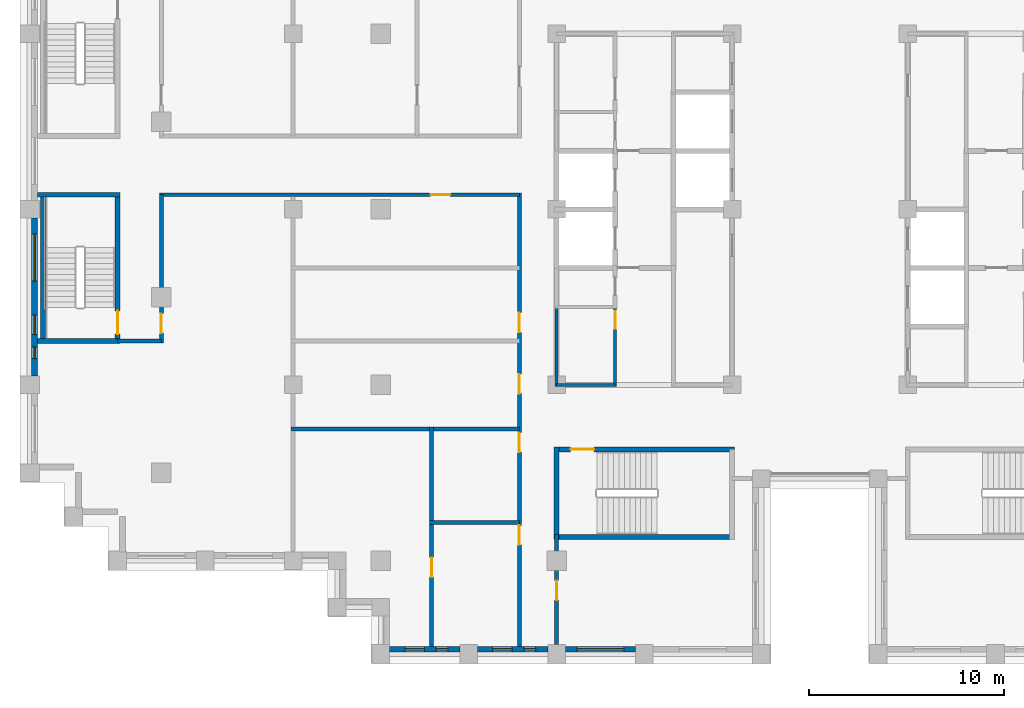
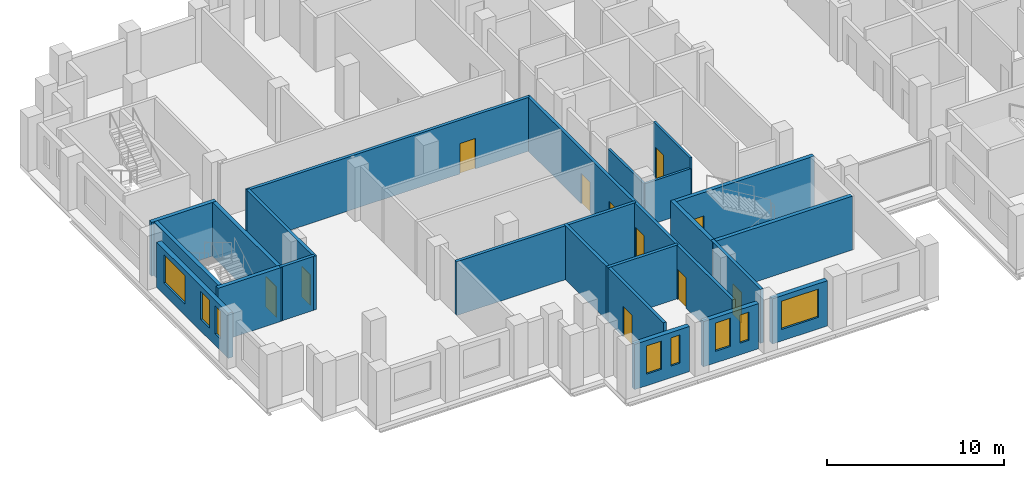
# One storey, part 6 of 15: 22 walls, 11 doors, 8 windows, 19 openings.
"""IFC4 building model written with IfcOpenShell, lengths in metres."""

from ifc_helpers import new_model, si_unit, direction, frame, frame_2d, origin, place, context, subcontext, project, spatial, rectangle, extrude, material, layer, layer_set, type_object, element, fill, save


model = new_model("IFC4")

# Units and contexts
model_context = context("Model", 3, precision=1e-05, world=origin(), true_north=direction((0.0, 1.0)))
body_context = subcontext(model_context, "Body", "Model", "MODEL_VIEW")
ifc_project = project(units=[si_unit("LENGTHUNIT", "METRE"), si_unit("AREAUNIT", "SQUARE_METRE"), si_unit("VOLUMEUNIT", "CUBIC_METRE"), si_unit("PLANEANGLEUNIT", "RADIAN"), si_unit("MASSUNIT", "GRAM", prefix="KILO")], contexts=[model_context])

# Site, building, storey
site_placement = place(None, origin())
site = spatial("IfcSite", under=ifc_project, at=site_placement, CompositionType="ELEMENT")
building_placement = place(site_placement, origin())
building = spatial("IfcBuilding", under=site, at=building_placement, Name="Corbelhall Arena Tower", CompositionType="ELEMENT")
storey_placement = place(building_placement, frame((0.0, 0.0, 212.0)))
storey = spatial("IfcBuildingStorey", under=building, at=storey_placement, Name="L44", CompositionType="ELEMENT", Elevation=212.0)

# Wall, openings, windows
ifc_material_1 = material(Name="Precast concrete C40/50 with granite facing", Category="masonry")
ifc_layer_1 = layer(ifc_material_1, 0.300048828125)
ifc_layer_set_1 = layer_set([ifc_layer_1], Name="EV-IW1 Infill panel 300")
wall_type_1 = type_object("IfcWallType", Name="EV-IW1 Infill panel 300", PredefinedType="SOLIDWALL", material=ifc_layer_set_1)
wall_1_placement = place(storey_placement, frame((-40.25, -0.449951171875, 0.0), z_axis=(0.0, 0.0, 1.0), x_axis=(0.0, -1.0, 0.0)))
wall_1 = element("IfcWall", 1, at=wall_1_placement, inside=storey, type_object=wall_type_1, Name="Infill panel IW1", PredefinedType="SOLIDWALL", context=body_context, shape_type="SweptSolid", body=[
    extrude(rectangle(XDim=8.10009765625, YDim=0.300048828125, at=frame_2d((4.050048828125, 0.0))), origin(), (0.0, 0.0, 1.0), 3.1201171875),
])
opening_1_placement = place(wall_1_placement, frame((0.824951171875, 0.0, 0.800048828125)))
opening_1 = element("IfcOpeningElement", 2, at=opening_1_placement, cuts=wall_1, Name="Opening WN1", PredefinedType="OPENING", context=body_context, shape_type="SweptSolid", body=[
    extrude(rectangle(XDim=2.39990234375, YDim=1.949951171875, at=frame_2d((1.199951171875, 0.97509765625))), frame((0.0, 0.14990234375, 0.0), z_axis=(0.0, -1.0, 0.0), x_axis=(1.0, 0.0, 0.0)), (0.0, 0.0, 1.0), 0.300048828125),
])
opening_2_placement = place(wall_1_placement, frame((4.97509765625, 0.0, 0.800048828125)))
opening_2 = element("IfcOpeningElement", 3, at=opening_2_placement, cuts=wall_1, Name="Opening WN6", PredefinedType="OPENING", context=body_context, shape_type="SweptSolid", body=[
    extrude(rectangle(XDim=1.0, YDim=1.949951171875, at=frame_2d((0.5, 0.97509765625))), frame((0.0, 0.14990234375, 0.0), z_axis=(0.0, -1.0, 0.0), x_axis=(1.0, 0.0, 0.0)), (0.0, 0.0, 1.0), 0.300048828125),
])
opening_3_placement = place(wall_1_placement, frame((6.60009765625, 0.0, 0.800048828125)))
opening_3 = element("IfcOpeningElement", 4, at=opening_3_placement, cuts=wall_1, Name="Opening WN5", PredefinedType="OPENING", context=body_context, shape_type="SweptSolid", body=[
    extrude(rectangle(XDim=0.60009765625, YDim=1.949951171875, at=frame_2d((0.300048828125, 0.97509765625))), frame((0.0, 0.14990234375, 0.0), z_axis=(0.0, -1.0, 0.0), x_axis=(1.0, 0.0, 0.0)), (0.0, 0.0, 1.0), 0.300048828125),
])
ifc_material_2 = material(Name="Aluminium black anodised", Category="aluminium")
window_type_1 = type_object("IfcWindowType", Name="EV-WN1 Office window", PartitioningType="SINGLE_PANEL", PredefinedType="WINDOW", material=ifc_material_2)
window_1_placement = place(opening_1_placement, origin())
window_1 = element("IfcWindow", 5, at=window_1_placement, inside=storey, type_object=window_type_1, Name="Window WN1", OverallHeight=1.949951171875, OverallWidth=2.39990234375, PartitioningType="SINGLE_PANEL", PredefinedType="WINDOW", context=body_context, shape_type="SweptSolid", body=[
    extrude(rectangle(XDim=2.39990234375, YDim=1.949951171875, at=frame_2d((1.199951171875, 0.97509765625))), frame((0.0, 0.030029296875, 0.0), z_axis=(0.0, -1.0, 0.0), x_axis=(1.0, 0.0, 0.0)), (0.0, 0.0, 1.0), 0.06005859375),
])
fill(opening_1, window_1)
window_type_2 = type_object("IfcWindowType", Name="EV-WN5 Office window 600", PartitioningType="SINGLE_PANEL", PredefinedType="WINDOW", material=ifc_material_2)
window_2_placement = place(opening_3_placement, origin())
window_2 = element("IfcWindow", 6, at=window_2_placement, inside=storey, type_object=window_type_2, Name="Window WN5", OverallHeight=1.949951171875, OverallWidth=0.60009765625, PartitioningType="SINGLE_PANEL", PredefinedType="WINDOW", context=body_context, shape_type="SweptSolid", body=[
    extrude(rectangle(XDim=0.60009765625, YDim=1.949951171875, at=frame_2d((0.300048828125, 0.97509765625))), frame((0.0, 0.030029296875, 0.0), z_axis=(0.0, -1.0, 0.0), x_axis=(1.0, 0.0, 0.0)), (0.0, 0.0, 1.0), 0.06005859375),
])
fill(opening_3, window_2)
window_type_3 = type_object("IfcWindowType", Name="EV-WN6 Office window 1000", PartitioningType="SINGLE_PANEL", PredefinedType="WINDOW", material=ifc_material_2)
window_3_placement = place(opening_2_placement, origin())
window_3 = element("IfcWindow", 7, at=window_3_placement, inside=storey, type_object=window_type_3, Name="Window WN6", OverallHeight=1.949951171875, OverallWidth=1.0, PartitioningType="SINGLE_PANEL", PredefinedType="WINDOW", context=body_context, shape_type="SweptSolid", body=[
    extrude(rectangle(XDim=1.0, YDim=1.949951171875, at=frame_2d((0.5, 0.97509765625))), frame((0.0, 0.030029296875, 0.0), z_axis=(0.0, -1.0, 0.0), x_axis=(1.0, 0.0, 0.0)), (0.0, 0.0, 1.0), 0.06005859375),
])
fill(opening_2, window_3)

wall_2_placement = place(storey_placement, frame((-22.050048828125, -22.550048828125, 0.0), z_axis=(0.0, 0.0, 1.0), x_axis=(1.0, 0.0, 0.0)))
wall_2 = element("IfcWall", 8, at=wall_2_placement, inside=storey, type_object=wall_type_1, Name="Infill panel IW1", PredefinedType="SOLIDWALL", context=body_context, shape_type="SweptSolid", body=[
    extrude(rectangle(XDim=3.60009765625, YDim=0.300048828125, at=frame_2d((1.800048828125, 0.0))), origin(), (0.0, 0.0, 1.0), 3.1201171875),
])
opening_4_placement = place(wall_2_placement, frame((0.77490234375, 0.0, 0.800048828125)))
opening_4 = element("IfcOpeningElement", 9, at=opening_4_placement, cuts=wall_2, Name="Opening WN6", PredefinedType="OPENING", context=body_context, shape_type="SweptSolid", body=[
    extrude(rectangle(XDim=1.0, YDim=1.949951171875, at=frame_2d((0.5, 0.97509765625))), frame((0.0, 0.14990234375, 0.0), z_axis=(0.0, -1.0, 0.0), x_axis=(1.0, 0.0, 0.0)), (0.0, 0.0, 1.0), 0.300048828125),
])
opening_5_placement = place(wall_2_placement, frame((2.375, 0.0, 0.800048828125)))
opening_5 = element("IfcOpeningElement", 10, at=opening_5_placement, cuts=wall_2, Name="Opening WN5", PredefinedType="OPENING", context=body_context, shape_type="SweptSolid", body=[
    extrude(rectangle(XDim=0.60009765625, YDim=1.949951171875, at=frame_2d((0.300048828125, 0.97509765625))), frame((0.0, 0.14990234375, 0.0), z_axis=(0.0, -1.0, 0.0), x_axis=(1.0, 0.0, 0.0)), (0.0, 0.0, 1.0), 0.300048828125),
])
window_4_placement = place(opening_5_placement, origin())
window_4 = element("IfcWindow", 11, at=window_4_placement, inside=storey, type_object=window_type_2, Name="Window WN5", OverallHeight=1.949951171875, OverallWidth=0.60009765625, PartitioningType="SINGLE_PANEL", PredefinedType="WINDOW", context=body_context, shape_type="SweptSolid", body=[
    extrude(rectangle(XDim=0.60009765625, YDim=1.949951171875, at=frame_2d((0.300048828125, 0.97509765625))), frame((0.0, 0.030029296875, 0.0), z_axis=(0.0, -1.0, 0.0), x_axis=(1.0, 0.0, 0.0)), (0.0, 0.0, 1.0), 0.06005859375),
])
fill(opening_5, window_4)
window_5_placement = place(opening_4_placement, origin())
window_5 = element("IfcWindow", 12, at=window_5_placement, inside=storey, type_object=window_type_3, Name="Window WN6", OverallHeight=1.949951171875, OverallWidth=1.0, PartitioningType="SINGLE_PANEL", PredefinedType="WINDOW", context=body_context, shape_type="SweptSolid", body=[
    extrude(rectangle(XDim=1.0, YDim=1.949951171875, at=frame_2d((0.5, 0.97509765625))), frame((0.0, 0.030029296875, 0.0), z_axis=(0.0, -1.0, 0.0), x_axis=(1.0, 0.0, 0.0)), (0.0, 0.0, 1.0), 0.06005859375),
])
fill(opening_4, window_5)

wall_3_placement = place(storey_placement, frame((-17.550048828125, -22.550048828125, 0.0), z_axis=(0.0, 0.0, 1.0), x_axis=(1.0, 0.0, 0.0)))
wall_3 = element("IfcWall", 13, at=wall_3_placement, inside=storey, type_object=wall_type_1, Name="Infill panel IW1", PredefinedType="SOLIDWALL", context=body_context, shape_type="SweptSolid", body=[
    extrude(rectangle(XDim=3.60009765625, YDim=0.300048828125, at=frame_2d((1.800048828125, 0.0))), origin(), (0.0, 0.0, 1.0), 3.1201171875),
])
opening_6_placement = place(wall_3_placement, frame((0.77490234375, 0.0, 0.800048828125)))
opening_6 = element("IfcOpeningElement", 14, at=opening_6_placement, cuts=wall_3, Name="Opening WN6", PredefinedType="OPENING", context=body_context, shape_type="SweptSolid", body=[
    extrude(rectangle(XDim=1.0, YDim=1.949951171875, at=frame_2d((0.5, 0.97509765625))), frame((0.0, 0.14990234375, 0.0), z_axis=(0.0, -1.0, 0.0), x_axis=(1.0, 0.0, 0.0)), (0.0, 0.0, 1.0), 0.300048828125),
])
opening_7_placement = place(wall_3_placement, frame((2.375, 0.0, 0.800048828125)))
opening_7 = element("IfcOpeningElement", 15, at=opening_7_placement, cuts=wall_3, Name="Opening WN5", PredefinedType="OPENING", context=body_context, shape_type="SweptSolid", body=[
    extrude(rectangle(XDim=0.60009765625, YDim=1.949951171875, at=frame_2d((0.300048828125, 0.97509765625))), frame((0.0, 0.14990234375, 0.0), z_axis=(0.0, -1.0, 0.0), x_axis=(1.0, 0.0, 0.0)), (0.0, 0.0, 1.0), 0.300048828125),
])
window_6_placement = place(opening_7_placement, origin())
window_6 = element("IfcWindow", 16, at=window_6_placement, inside=storey, type_object=window_type_2, Name="Window WN5", OverallHeight=1.949951171875, OverallWidth=0.60009765625, PartitioningType="SINGLE_PANEL", PredefinedType="WINDOW", context=body_context, shape_type="SweptSolid", body=[
    extrude(rectangle(XDim=0.60009765625, YDim=1.949951171875, at=frame_2d((0.300048828125, 0.97509765625))), frame((0.0, 0.030029296875, 0.0), z_axis=(0.0, -1.0, 0.0), x_axis=(1.0, 0.0, 0.0)), (0.0, 0.0, 1.0), 0.06005859375),
])
fill(opening_7, window_6)
window_7_placement = place(opening_6_placement, origin())
window_7 = element("IfcWindow", 17, at=window_7_placement, inside=storey, type_object=window_type_3, Name="Window WN6", OverallHeight=1.949951171875, OverallWidth=1.0, PartitioningType="SINGLE_PANEL", PredefinedType="WINDOW", context=body_context, shape_type="SweptSolid", body=[
    extrude(rectangle(XDim=1.0, YDim=1.949951171875, at=frame_2d((0.5, 0.97509765625))), frame((0.0, 0.030029296875, 0.0), z_axis=(0.0, -1.0, 0.0), x_axis=(1.0, 0.0, 0.0)), (0.0, 0.0, 1.0), 0.06005859375),
])
fill(opening_6, window_7)

# Wall, opening, window
wall_4_placement = place(storey_placement, frame((-13.050048828125, -22.550048828125, 0.0), z_axis=(0.0, 0.0, 1.0), x_axis=(1.0, 0.0, 0.0)))
wall_4 = element("IfcWall", 18, at=wall_4_placement, inside=storey, type_object=wall_type_1, Name="Infill panel IW1", PredefinedType="SOLIDWALL", context=body_context, shape_type="SweptSolid", body=[
    extrude(rectangle(XDim=3.60009765625, YDim=0.300048828125, at=frame_2d((1.800048828125, 0.0))), origin(), (0.0, 0.0, 1.0), 3.1201171875),
])
opening_8_placement = place(wall_4_placement, frame((0.60009765625, 0.0, 0.800048828125)))
opening_8 = element("IfcOpeningElement", 19, at=opening_8_placement, cuts=wall_4, Name="Opening WN1", PredefinedType="OPENING", context=body_context, shape_type="SweptSolid", body=[
    extrude(rectangle(XDim=2.39990234375, YDim=1.949951171875, at=frame_2d((1.199951171875, 0.97509765625))), frame((0.0, 0.14990234375, 0.0), z_axis=(0.0, -1.0, 0.0), x_axis=(1.0, 0.0, 0.0)), (0.0, 0.0, 1.0), 0.300048828125),
])
window_8_placement = place(opening_8_placement, origin())
window_8 = element("IfcWindow", 20, at=window_8_placement, inside=storey, type_object=window_type_1, Name="Window WN1", OverallHeight=1.949951171875, OverallWidth=2.39990234375, PartitioningType="SINGLE_PANEL", PredefinedType="WINDOW", context=body_context, shape_type="SweptSolid", body=[
    extrude(rectangle(XDim=2.39990234375, YDim=1.949951171875, at=frame_2d((1.199951171875, 0.97509765625))), frame((0.0, 0.030029296875, 0.0), z_axis=(0.0, -1.0, 0.0), x_axis=(1.0, 0.0, 0.0)), (0.0, 0.0, 1.0), 0.06005859375),
])
fill(opening_8, window_8)

# Wall
ifc_material_3 = material(Name="Gypsum board on steel stud, acoustic", Category="steel")
ifc_layer_2 = layer(ifc_material_3, 0.199951171875)
ifc_layer_set_2 = layer_set([ifc_layer_2], Name="IN-W-DM200")
wall_type_2 = type_object("IfcWallType", Name="IN-W-DM200", PredefinedType="PARTITIONING", material=ifc_layer_set_2)
wall_5_placement = place(storey_placement, frame((-33.75, -6.75, 0.0), z_axis=(0.0, 0.0, 1.0), x_axis=(-1.0, 0.0, 0.0)))
element("IfcWall", 21, at=wall_5_placement, inside=storey, type_object=wall_type_2, Name="Partition 003", PredefinedType="PARTITIONING", context=body_context, shape_type="SweptSolid", body=[
    extrude(rectangle(XDim=2.25, YDim=0.199951171875, at=frame_2d((1.125, 0.0))), origin(), (0.0, 0.0, 1.0), 3.719970703125),
])

# Wall, opening, door
wall_6_placement = place(storey_placement, frame((-33.75, 0.75, 0.0), z_axis=(0.0, 0.0, 1.0), x_axis=(0.0, -1.0, 0.0)))
wall_6 = element("IfcWall", 22, at=wall_6_placement, inside=storey, type_object=wall_type_2, Name="Partition 004", PredefinedType="PARTITIONING", context=body_context, shape_type="SweptSolid", body=[
    extrude(rectangle(XDim=7.60009765625, YDim=0.199951171875, at=frame_2d((3.800048828125, 0.0))), origin(), (0.0, 0.0, 1.0), 3.719970703125),
])
opening_9_placement = place(wall_6_placement, frame((6.10009765625, 0.0, 0.0)))
opening_9 = element("IfcOpeningElement", 23, at=opening_9_placement, cuts=wall_6, Name="Opening 13041", PredefinedType="OPENING", context=body_context, shape_type="SweptSolid", body=[
    extrude(rectangle(XDim=1.0, YDim=2.10009765625, at=frame_2d((0.5, 1.050048828125))), frame((0.0, 0.10009765625, 0.0), z_axis=(0.0, -1.0, 0.0), x_axis=(1.0, 0.0, 0.0)), (0.0, 0.0, 1.0), 0.199951171875),
])
ifc_material_4 = material(Name="Steel door set", Category="steel")
door_type_1 = type_object("IfcDoorType", Name="IN-D-SW100", OperationType="NOTDEFINED", PredefinedType="DOOR", material=ifc_material_4)
door_1_placement = place(opening_9_placement, origin())
door_1 = element("IfcDoor", 24, at=door_1_placement, inside=storey, type_object=door_type_1, Name="Door 041", OperationType="SINGLE_SWING_RIGHT", OverallHeight=2.10009765625, OverallWidth=1.0, PredefinedType="DOOR", context=body_context, shape_type="SweptSolid", body=[
    extrude(rectangle(XDim=1.0, YDim=2.10009765625, at=frame_2d((0.5, 1.050048828125))), frame((0.0, 0.02490234375, 0.0), z_axis=(0.0, -1.0, 0.0), x_axis=(1.0, 0.0, 0.0)), (0.0, 0.0, 1.0), 0.050048828125),
])
fill(opening_9, door_1)

# Wall
wall_7_placement = place(storey_placement, frame((-27.10009765625, -11.25, 0.0), z_axis=(0.0, 0.0, 1.0), x_axis=(1.0, 0.0, 0.0)))
element("IfcWall", 25, at=wall_7_placement, inside=storey, type_object=wall_type_2, Name="Partition 006", PredefinedType="PARTITIONING", context=body_context, shape_type="SweptSolid", body=[
    extrude(rectangle(XDim=11.7001953125, YDim=0.199951171875, at=frame_2d((5.85009765625, 0.0))), origin(), (0.0, 0.0, 1.0), 3.719970703125),
])

# Wall, opening, door
wall_8_placement = place(storey_placement, frame((-15.39990234375, 0.75, 0.0), z_axis=(0.0, 0.0, 1.0), x_axis=(-1.0, 0.0, 0.0)))
wall_8 = element("IfcWall", 26, at=wall_8_placement, inside=storey, type_object=wall_type_2, Name="Partition 011", PredefinedType="PARTITIONING", context=body_context, shape_type="SweptSolid", body=[
    extrude(rectangle(XDim=18.4501953125, YDim=0.199951171875, at=frame_2d((9.22509765625, 0.0))), origin(), (0.0, 0.0, 1.0), 3.719970703125),
])
opening_10_placement = place(wall_8_placement, frame((3.550048828125, 0.0, 0.0)))
opening_10 = element("IfcOpeningElement", 27, at=opening_10_placement, cuts=wall_8, Name="Opening 13031", PredefinedType="OPENING", context=body_context, shape_type="SweptSolid", body=[
    extrude(rectangle(XDim=1.0, YDim=2.10009765625, at=frame_2d((0.5, 1.050048828125))), frame((0.0, 0.10009765625, 0.0), z_axis=(0.0, -1.0, 0.0), x_axis=(1.0, 0.0, 0.0)), (0.0, 0.0, 1.0), 0.199951171875),
])
door_2_placement = place(opening_10_placement, origin())
door_2 = element("IfcDoor", 28, at=door_2_placement, inside=storey, type_object=door_type_1, Name="Door 031", OperationType="SINGLE_SWING_RIGHT", OverallHeight=2.10009765625, OverallWidth=1.0, PredefinedType="DOOR", context=body_context, shape_type="SweptSolid", body=[
    extrude(rectangle(XDim=1.0, YDim=2.10009765625, at=frame_2d((0.5, 1.050048828125))), frame((0.0, 0.02490234375, 0.0), z_axis=(0.0, -1.0, 0.0), x_axis=(1.0, 0.0, 0.0)), (0.0, 0.0, 1.0), 0.050048828125),
])
fill(opening_10, door_2)

# Wall
wall_9_placement = place(storey_placement, frame((-20.0, -16.050048828125, 0.0), z_axis=(0.0, 0.0, 1.0), x_axis=(1.0, 0.0, 0.0)))
element("IfcWall", 29, at=wall_9_placement, inside=storey, type_object=wall_type_2, Name="Partition 015", PredefinedType="PARTITIONING", context=body_context, shape_type="SweptSolid", body=[
    extrude(rectangle(XDim=4.60009765625, YDim=0.199951171875, at=frame_2d((2.300048828125, 0.0))), origin(), (0.0, 0.0, 1.0), 3.719970703125),
])

# Wall, opening, door
wall_10_placement = place(storey_placement, frame((-19.89990234375, -22.39990234375, 0.0), z_axis=(0.0, 0.0, 1.0), x_axis=(0.0, 1.0, 0.0)))
wall_10 = element("IfcWall", 30, at=wall_10_placement, inside=storey, type_object=wall_type_2, Name="Partition 016", PredefinedType="PARTITIONING", context=body_context, shape_type="SweptSolid", body=[
    extrude(rectangle(XDim=11.25, YDim=0.199951171875, at=frame_2d((5.625, 0.0))), origin(), (0.0, 0.0, 1.0), 3.719970703125),
])
opening_11_placement = place(wall_10_placement, frame((3.550048828125, 0.0, 0.0)))
opening_11 = element("IfcOpeningElement", 31, at=opening_11_placement, cuts=wall_10, Name="Opening 13028", PredefinedType="OPENING", context=body_context, shape_type="SweptSolid", body=[
    extrude(rectangle(XDim=1.0, YDim=2.10009765625, at=frame_2d((0.5, 1.050048828125))), frame((0.0, 0.10009765625, 0.0), z_axis=(0.0, -1.0, 0.0), x_axis=(1.0, 0.0, 0.0)), (0.0, 0.0, 1.0), 0.199951171875),
])
door_3_placement = place(opening_11_placement, origin())
door_3 = element("IfcDoor", 32, at=door_3_placement, inside=storey, type_object=door_type_1, Name="Door 028", OperationType="SINGLE_SWING_LEFT", OverallHeight=2.10009765625, OverallWidth=1.0, PredefinedType="DOOR", context=body_context, shape_type="SweptSolid", body=[
    extrude(rectangle(XDim=1.0, YDim=2.10009765625, at=frame_2d((0.5, 1.050048828125))), frame((0.0, 0.02490234375, 0.0), z_axis=(0.0, -1.0, 0.0), x_axis=(1.0, 0.0, 0.0)), (0.0, 0.0, 1.0), 0.050048828125),
])
fill(opening_11, door_3)

# Wall, openings, doors
wall_11_placement = place(storey_placement, frame((-15.39990234375, -22.39990234375, 0.0), z_axis=(0.0, 0.0, 1.0), x_axis=(0.0, 1.0, 0.0)))
wall_11 = element("IfcWall", 33, at=wall_11_placement, inside=storey, type_object=wall_type_2, Name="Partition 017", PredefinedType="PARTITIONING", context=body_context, shape_type="SweptSolid", body=[
    extrude(rectangle(XDim=23.25, YDim=0.199951171875, at=frame_2d((11.625, 0.0))), origin(), (0.0, 0.0, 1.0), 3.719970703125),
])
opening_12_placement = place(wall_11_placement, frame((5.199951171875, 0.0, 0.0)))
opening_12 = element("IfcOpeningElement", 34, at=opening_12_placement, cuts=wall_11, Name="Opening 13026", PredefinedType="OPENING", context=body_context, shape_type="SweptSolid", body=[
    extrude(rectangle(XDim=1.0, YDim=2.10009765625, at=frame_2d((0.5, 1.050048828125))), frame((0.0, 0.10009765625, 0.0), z_axis=(0.0, -1.0, 0.0), x_axis=(1.0, 0.0, 0.0)), (0.0, 0.0, 1.0), 0.199951171875),
])
opening_13_placement = place(wall_11_placement, frame((9.949951171875, 0.0, 0.0)))
opening_13 = element("IfcOpeningElement", 35, at=opening_13_placement, cuts=wall_11, Name="Opening 13027", PredefinedType="OPENING", context=body_context, shape_type="SweptSolid", body=[
    extrude(rectangle(XDim=1.0, YDim=2.10009765625, at=frame_2d((0.5, 1.050048828125))), frame((0.0, 0.10009765625, 0.0), z_axis=(0.0, -1.0, 0.0), x_axis=(1.0, 0.0, 0.0)), (0.0, 0.0, 1.0), 0.199951171875),
])
opening_14_placement = place(wall_11_placement, frame((12.949951171875, 0.0, 0.0)))
opening_14 = element("IfcOpeningElement", 36, at=opening_14_placement, cuts=wall_11, Name="Opening 13029", PredefinedType="OPENING", context=body_context, shape_type="SweptSolid", body=[
    extrude(rectangle(XDim=1.0, YDim=2.10009765625, at=frame_2d((0.5, 1.050048828125))), frame((0.0, 0.10009765625, 0.0), z_axis=(0.0, -1.0, 0.0), x_axis=(1.0, 0.0, 0.0)), (0.0, 0.0, 1.0), 0.199951171875),
])
opening_15_placement = place(wall_11_placement, frame((16.10009765625, 0.0, 0.0)))
opening_15 = element("IfcOpeningElement", 37, at=opening_15_placement, cuts=wall_11, Name="Opening 13030", PredefinedType="OPENING", context=body_context, shape_type="SweptSolid", body=[
    extrude(rectangle(XDim=1.0, YDim=2.10009765625, at=frame_2d((0.5, 1.050048828125))), frame((0.0, 0.10009765625, 0.0), z_axis=(0.0, -1.0, 0.0), x_axis=(1.0, 0.0, 0.0)), (0.0, 0.0, 1.0), 0.199951171875),
])
door_4_placement = place(opening_12_placement, origin())
door_4 = element("IfcDoor", 38, at=door_4_placement, inside=storey, type_object=door_type_1, Name="Door 026", OperationType="SINGLE_SWING_LEFT", OverallHeight=2.10009765625, OverallWidth=1.0, PredefinedType="DOOR", context=body_context, shape_type="SweptSolid", body=[
    extrude(rectangle(XDim=1.0, YDim=2.10009765625, at=frame_2d((0.5, 1.050048828125))), frame((0.0, 0.02490234375, 0.0), z_axis=(0.0, -1.0, 0.0), x_axis=(1.0, 0.0, 0.0)), (0.0, 0.0, 1.0), 0.050048828125),
])
fill(opening_12, door_4)
door_5_placement = place(opening_13_placement, origin())
door_5 = element("IfcDoor", 39, at=door_5_placement, inside=storey, type_object=door_type_1, Name="Door 027", OperationType="SINGLE_SWING_RIGHT", OverallHeight=2.10009765625, OverallWidth=1.0, PredefinedType="DOOR", context=body_context, shape_type="SweptSolid", body=[
    extrude(rectangle(XDim=1.0, YDim=2.10009765625, at=frame_2d((0.5, 1.050048828125))), frame((0.0, 0.02490234375, 0.0), z_axis=(0.0, -1.0, 0.0), x_axis=(1.0, 0.0, 0.0)), (0.0, 0.0, 1.0), 0.050048828125),
])
fill(opening_13, door_5)
door_6_placement = place(opening_14_placement, origin())
door_6 = element("IfcDoor", 40, at=door_6_placement, inside=storey, type_object=door_type_1, Name="Door 029", OperationType="SINGLE_SWING_RIGHT", OverallHeight=2.10009765625, OverallWidth=1.0, PredefinedType="DOOR", context=body_context, shape_type="SweptSolid", body=[
    extrude(rectangle(XDim=1.0, YDim=2.10009765625, at=frame_2d((0.5, 1.050048828125))), frame((0.0, 0.02490234375, 0.0), z_axis=(0.0, -1.0, 0.0), x_axis=(1.0, 0.0, 0.0)), (0.0, 0.0, 1.0), 0.050048828125),
])
fill(opening_14, door_6)
door_7_placement = place(opening_15_placement, origin())
door_7 = element("IfcDoor", 41, at=door_7_placement, inside=storey, type_object=door_type_1, Name="Door 030", OperationType="SINGLE_SWING_LEFT", OverallHeight=2.10009765625, OverallWidth=1.0, PredefinedType="DOOR", context=body_context, shape_type="SweptSolid", body=[
    extrude(rectangle(XDim=1.0, YDim=2.10009765625, at=frame_2d((0.5, 1.050048828125))), frame((0.0, 0.02490234375, 0.0), z_axis=(0.0, -1.0, 0.0), x_axis=(1.0, 0.0, 0.0)), (0.0, 0.0, 1.0), 0.050048828125),
])
fill(opening_15, door_7)

# Wall, opening, door
wall_12_placement = place(storey_placement, frame((-13.5, -16.675048828125, 0.0), z_axis=(0.0, 0.0, 1.0), x_axis=(0.0, -1.0, 0.0)))
wall_12 = element("IfcWall", 42, at=wall_12_placement, inside=storey, type_object=wall_type_2, Name="Partition 019", PredefinedType="PARTITIONING", context=body_context, shape_type="SweptSolid", body=[
    extrude(rectangle(XDim=5.625, YDim=0.199951171875, at=frame_2d((2.8125, 0.0))), origin(), (0.0, 0.0, 1.0), 3.719970703125),
])
opening_16_placement = place(wall_12_placement, frame((2.35009765625, 0.0, 0.0)))
opening_16 = element("IfcOpeningElement", 43, at=opening_16_placement, cuts=wall_12, Name="Opening 13022", PredefinedType="OPENING", context=body_context, shape_type="SweptSolid", body=[
    extrude(rectangle(XDim=1.0, YDim=2.10009765625, at=frame_2d((0.5, 1.050048828125))), frame((0.0, 0.10009765625, 0.0), z_axis=(0.0, -1.0, 0.0), x_axis=(1.0, 0.0, 0.0)), (0.0, 0.0, 1.0), 0.199951171875),
])
door_8_placement = place(opening_16_placement, origin())
door_8 = element("IfcDoor", 44, at=door_8_placement, inside=storey, type_object=door_type_1, Name="Door 022", OperationType="SINGLE_SWING_LEFT", OverallHeight=2.10009765625, OverallWidth=1.0, PredefinedType="DOOR", context=body_context, shape_type="SweptSolid", body=[
    extrude(rectangle(XDim=1.0, YDim=2.10009765625, at=frame_2d((0.5, 1.050048828125))), frame((0.0, 0.02490234375, 0.0), z_axis=(0.0, -1.0, 0.0), x_axis=(1.0, 0.0, 0.0)), (0.0, 0.0, 1.0), 0.050048828125),
])
fill(opening_16, door_8)

# Wall
ifc_material_5 = material(Name="Concrete C40/50", Category="concrete")
ifc_layer_3 = layer(ifc_material_5, 0.25)
ifc_layer_set_3 = layer_set([ifc_layer_3], Name="IN-W-ST250")
wall_type_3 = type_object("IfcWallType", Name="IN-W-ST250", PredefinedType="SOLIDWALL", material=ifc_layer_set_3)
wall_13_placement = place(storey_placement, frame((-36.0, -6.75, 0.0), z_axis=(0.0, 0.0, 1.0), x_axis=(-1.0, 0.0, 0.0)))
element("IfcWall", 45, at=wall_13_placement, inside=storey, type_object=wall_type_3, Name="Shaft wall 077", PredefinedType="SOLIDWALL", context=body_context, shape_type="SweptSolid", body=[
    extrude(rectangle(XDim=4.10009765625, YDim=0.25, at=frame_2d((2.050048828125, 0.0))), origin(), (0.0, 0.0, 1.0), 3.719970703125),
])

# Wall, opening, door
wall_14_placement = place(storey_placement, frame((-36.0, 0.75, 0.0), z_axis=(0.0, 0.0, 1.0), x_axis=(0.0, -1.0, 0.0)))
wall_14 = element("IfcWall", 46, at=wall_14_placement, inside=storey, type_object=wall_type_3, Name="Shaft wall 078", PredefinedType="SOLIDWALL", context=body_context, shape_type="SweptSolid", body=[
    extrude(rectangle(XDim=7.625, YDim=0.25, at=frame_2d((3.8125, 0.0))), origin(), (0.0, 0.0, 1.0), 3.719970703125),
])
opening_17_placement = place(wall_14_placement, frame((5.949951171875, 0.0, 0.0)))
opening_17 = element("IfcOpeningElement", 47, at=opening_17_placement, cuts=wall_14, Name="Opening 13020", PredefinedType="OPENING", context=body_context, shape_type="SweptSolid", body=[
    extrude(rectangle(XDim=1.199951171875, YDim=2.10009765625, at=frame_2d((0.60009765625, 1.050048828125))), frame((0.0, 0.125, 0.0), z_axis=(0.0, -1.0, 0.0), x_axis=(1.0, 0.0, 0.0)), (0.0, 0.0, 1.0), 0.25),
])
door_type_2 = type_object("IfcDoorType", Name="IN-D-ST120", OperationType="NOTDEFINED", PredefinedType="DOOR", material=ifc_material_4)
door_9_placement = place(opening_17_placement, origin())
door_9 = element("IfcDoor", 48, at=door_9_placement, inside=storey, type_object=door_type_2, Name="Door 020", OperationType="SINGLE_SWING_LEFT", OverallHeight=2.10009765625, OverallWidth=1.199951171875, PredefinedType="DOOR", context=body_context, shape_type="SweptSolid", body=[
    extrude(rectangle(XDim=1.199951171875, YDim=2.10009765625, at=frame_2d((0.60009765625, 1.050048828125))), frame((0.0, 0.02490234375, 0.0), z_axis=(0.0, -1.0, 0.0), x_axis=(1.0, 0.0, 0.0)), (0.0, 0.0, 1.0), 0.050048828125),
])
fill(opening_17, door_9)

# Walls
wall_15_placement = place(storey_placement, frame((-35.875, 0.75, 0.0), z_axis=(0.0, 0.0, 1.0), x_axis=(-1.0, 0.0, 0.0)))
element("IfcWall", 49, at=wall_15_placement, inside=storey, type_object=wall_type_3, Name="Shaft wall 080", PredefinedType="SOLIDWALL", context=body_context, shape_type="SweptSolid", body=[
    extrude(rectangle(XDim=4.22509765625, YDim=0.25, at=frame_2d((2.112548828125, 0.0))), origin(), (0.0, 0.0, 1.0), 3.719970703125),
])
wall_16_placement = place(storey_placement, frame((-13.5, -12.175048828125, 0.0), z_axis=(0.0, 0.0, 1.0), x_axis=(0.0, -1.0, 0.0)))
element("IfcWall", 50, at=wall_16_placement, inside=storey, type_object=wall_type_3, Name="Shaft wall 081", PredefinedType="SOLIDWALL", context=body_context, shape_type="SweptSolid", body=[
    extrude(rectangle(XDim=4.75, YDim=0.25, at=frame_2d((2.375, 0.0))), origin(), (0.0, 0.0, 1.0), 3.719970703125),
])
wall_17_placement = place(storey_placement, frame((-4.5, -16.800048828125, 0.0), z_axis=(0.0, 0.0, 1.0), x_axis=(-1.0, 0.0, 0.0)))
element("IfcWall", 51, at=wall_17_placement, inside=storey, type_object=wall_type_3, Name="Shaft wall 085", PredefinedType="SOLIDWALL", context=body_context, shape_type="SweptSolid", body=[
    extrude(rectangle(XDim=9.0, YDim=0.25, at=frame_2d((4.5, 0.0))), origin(), (0.0, 0.0, 1.0), 3.719970703125),
])

# Wall, opening, door
wall_18_placement = place(storey_placement, frame((-4.375, -12.300048828125, 0.0), z_axis=(0.0, 0.0, 1.0), x_axis=(-1.0, 0.0, 0.0)))
wall_18 = element("IfcWall", 52, at=wall_18_placement, inside=storey, type_object=wall_type_3, Name="Shaft wall 089", PredefinedType="SOLIDWALL", context=body_context, shape_type="SweptSolid", body=[
    extrude(rectangle(XDim=9.125, YDim=0.25, at=frame_2d((4.5625, 0.0))), origin(), (0.0, 0.0, 1.0), 3.719970703125),
])
opening_18_placement = place(wall_18_placement, frame((7.199951171875, 0.0, 0.0)))
opening_18 = element("IfcOpeningElement", 53, at=opening_18_placement, cuts=wall_18, Name="Opening 13016", PredefinedType="OPENING", context=body_context, shape_type="SweptSolid", body=[
    extrude(rectangle(XDim=1.199951171875, YDim=2.10009765625, at=frame_2d((0.60009765625, 1.050048828125))), frame((0.0, 0.125, 0.0), z_axis=(0.0, -1.0, 0.0), x_axis=(1.0, 0.0, 0.0)), (0.0, 0.0, 1.0), 0.25),
])
door_10_placement = place(opening_18_placement, origin())
door_10 = element("IfcDoor", 54, at=door_10_placement, inside=storey, type_object=door_type_2, Name="Door 016", OperationType="SINGLE_SWING_LEFT", OverallHeight=2.10009765625, OverallWidth=1.199951171875, PredefinedType="DOOR", context=body_context, shape_type="SweptSolid", body=[
    extrude(rectangle(XDim=1.199951171875, YDim=2.10009765625, at=frame_2d((0.60009765625, 1.050048828125))), frame((0.0, 0.02490234375, 0.0), z_axis=(0.0, -1.0, 0.0), x_axis=(1.0, 0.0, 0.0)), (0.0, 0.0, 1.0), 0.050048828125),
])
fill(opening_18, door_10)

# Wall
wall_19_placement = place(storey_placement, frame((-39.824951171875, -6.625, 0.0), z_axis=(0.0, 0.0, 1.0), x_axis=(0.0, 1.0, 0.0)))
element("IfcWall", 55, at=wall_19_placement, inside=storey, type_object=wall_type_3, Name="Shaft wall SC2 facade side", PredefinedType="SOLIDWALL", context=body_context, shape_type="SweptSolid", body=[
    extrude(rectangle(XDim=7.25, YDim=0.25, at=frame_2d((3.625, 0.0))), origin(), (0.0, 0.0, 1.0), 3.719970703125),
])

# Wall, opening, door
ifc_material_6 = material(Name="Gypsum board on steel stud, moisture resistant", Category="steel")
ifc_layer_4 = layer(ifc_material_6, 0.14990234375)
ifc_layer_set_4 = layer_set([ifc_layer_4], Name="IN-W-WC150")
wall_type_4 = type_object("IfcWallType", Name="IN-W-WC150", PredefinedType="PARTITIONING", material=ifc_layer_set_4)
wall_20_placement = place(storey_placement, frame((-10.5, -9.074951171875, 0.0), z_axis=(0.0, 0.0, 1.0), x_axis=(0.0, 1.0, 0.0)))
wall_20 = element("IfcWall", 56, at=wall_20_placement, inside=storey, type_object=wall_type_4, Name="Partition 102", PredefinedType="PARTITIONING", context=body_context, shape_type="SweptSolid", body=[
    extrude(rectangle(XDim=4.14990234375, YDim=0.14990234375, at=frame_2d((2.074951171875, 0.0))), origin(), (0.0, 0.0, 1.0), 3.719970703125),
])
opening_19_placement = place(wall_20_placement, frame((2.949951171875, 0.0, 0.0)))
opening_19 = element("IfcOpeningElement", 57, at=opening_19_placement, cuts=wall_20, Name="Opening 13005", PredefinedType="OPENING", context=body_context, shape_type="SweptSolid", body=[
    extrude(rectangle(XDim=0.89990234375, YDim=2.10009765625, at=frame_2d((0.449951171875, 1.050048828125))), frame((0.0, 0.074951171875, 0.0), z_axis=(0.0, -1.0, 0.0), x_axis=(1.0, 0.0, 0.0)), (0.0, 0.0, 1.0), 0.14990234375),
])
ifc_material_7 = material(Name="Timber door set", Category="wood")
door_type_3 = type_object("IfcDoorType", Name="IN-D-SW90", OperationType="NOTDEFINED", PredefinedType="DOOR", material=ifc_material_7)
door_11_placement = place(opening_19_placement, origin())
door_11 = element("IfcDoor", 58, at=door_11_placement, inside=storey, type_object=door_type_3, Name="Door 005", OperationType="SINGLE_SWING_RIGHT", OverallHeight=2.10009765625, OverallWidth=0.89990234375, PredefinedType="DOOR", context=body_context, shape_type="SweptSolid", body=[
    extrude(rectangle(XDim=0.89990234375, YDim=2.10009765625, at=frame_2d((0.449951171875, 1.050048828125))), frame((0.0, 0.02490234375, 0.0), z_axis=(0.0, -1.0, 0.0), x_axis=(1.0, 0.0, 0.0)), (0.0, 0.0, 1.0), 0.050048828125),
])
fill(opening_19, door_11)

# Walls
ifc_layer_5 = layer(ifc_material_6, 0.14990234375)
ifc_layer_set_5 = layer_set([ifc_layer_5], Name="IN-W-WC150 under beam 762 mm")
wall_type_5 = type_object("IfcWallType", Name="IN-W-WC150 under beam 762 mm", PredefinedType="PARTITIONING", material=ifc_layer_set_5)
wall_21_placement = place(storey_placement, frame((-13.5, -9.074951171875, 0.0), z_axis=(0.0, 0.0, 1.0), x_axis=(0.0, 1.0, 0.0)))
element("IfcWall", 59, at=wall_21_placement, inside=storey, type_object=wall_type_5, Name="Partition 100", PredefinedType="PARTITIONING", context=body_context, shape_type="SweptSolid", body=[
    extrude(rectangle(XDim=4.074951171875, YDim=0.14990234375, at=frame_2d((2.03759765625, 0.0))), origin(), (0.0, 0.0, 1.0), 2.9580078125),
])
wall_22_placement = place(storey_placement, frame((-10.5, -9.0, 0.0), z_axis=(0.0, 0.0, 1.0), x_axis=(-1.0, 0.0, 0.0)))
element("IfcWall", 60, at=wall_22_placement, inside=storey, type_object=wall_type_5, Name="Partition 103", PredefinedType="PARTITIONING", context=body_context, shape_type="SweptSolid", body=[
    extrude(rectangle(XDim=3.0, YDim=0.14990234375, at=frame_2d((1.5, 0.0))), origin(), (0.0, 0.0, 1.0), 2.9580078125),
])

save(model, "model.ifc")
